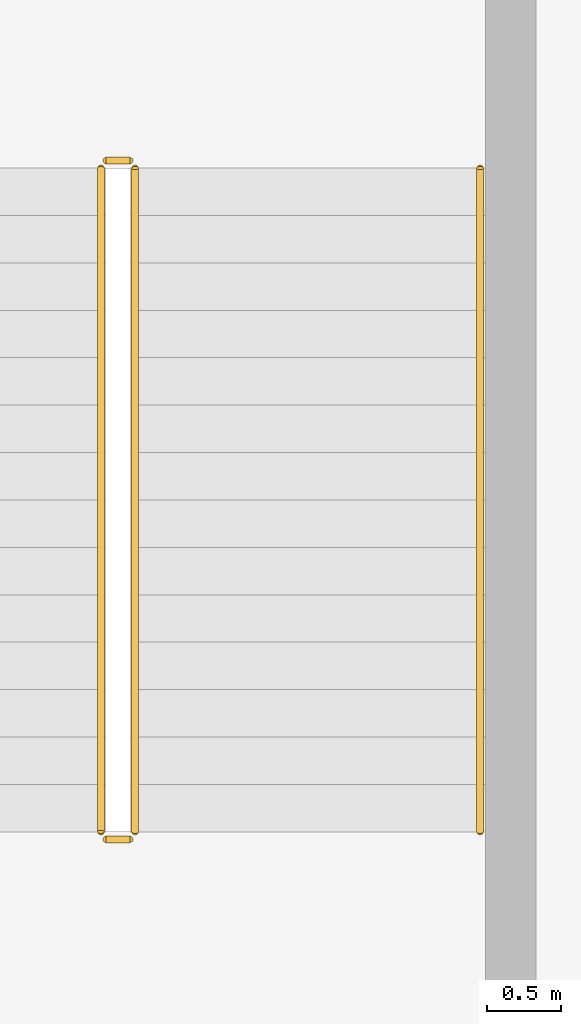
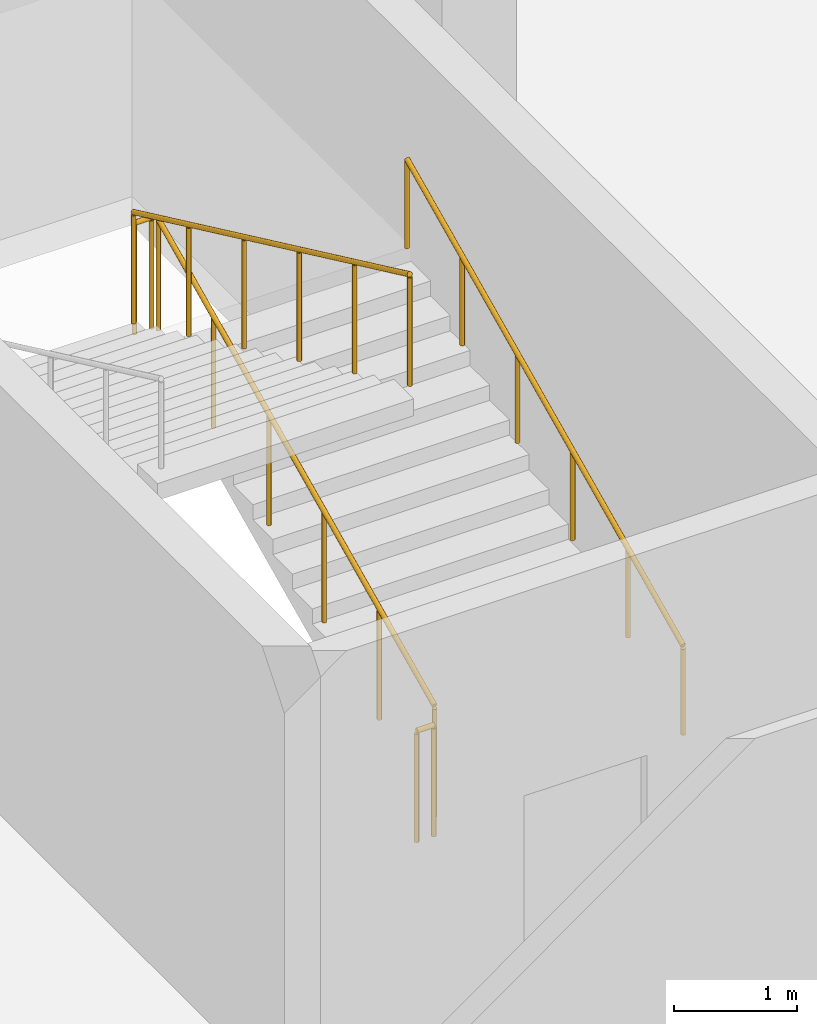
# One storey, part 144 of 151: 5 railings.
"""IFC4 building model written with IfcOpenShell, lengths in metres."""

from ifc_helpers import new_model, si_unit, direction, frame, origin, origin_2d, place, context, subcontext, project, spatial, circle, extrude, material, layer, layer_set, type_object, element, save


model = new_model("IFC4")

# Units and contexts
model_context = context("Model", 3, precision=1e-05, world=origin(), true_north=direction((0.0, 1.0)))
body_context = subcontext(model_context, "Body", "Model", "MODEL_VIEW")
ifc_project = project(units=[si_unit("LENGTHUNIT", "METRE"), si_unit("AREAUNIT", "SQUARE_METRE"), si_unit("VOLUMEUNIT", "CUBIC_METRE"), si_unit("PLANEANGLEUNIT", "RADIAN"), si_unit("MASSUNIT", "GRAM", prefix="KILO")], contexts=[model_context])

# Site, building, storey
site_placement = place(None, origin())
site = spatial("IfcSite", under=ifc_project, at=site_placement, CompositionType="ELEMENT")
building_placement = place(site_placement, origin())
building = spatial("IfcBuilding", under=site, at=building_placement, Name="Celestram Park Convention Centre", CompositionType="ELEMENT")
storey_placement = place(building_placement, frame((0.0, 0.0, 10.800048828125)))
storey = spatial("IfcBuildingStorey", under=building, at=storey_placement, Name="L02", CompositionType="ELEMENT", Elevation=10.800048828125)

# Railings
ifc_material_1 = material(Name="Stainless Steel AISI 316L & Laminated Glass", Category="steel")
ifc_layer_1 = layer(ifc_material_1, 0.06005859375)
ifc_layer_set_1 = layer_set([ifc_layer_1], Name="Stainless Steel AISI 316L & Laminated Glass")
railing_type_1 = type_object("IfcRailingType", Name="ARC-RL-GRD1120", PredefinedType="GUARDRAIL", material=ifc_layer_set_1)
railing_1_placement = place(storey_placement, frame((113.43603515625, 152.60009765625, 0.14990234375)))
element("IfcRailing", 1, at=railing_1_placement, inside=storey, type_object=railing_type_1, Name="L02 ST-16 stair guard 1", PredefinedType="GUARDRAIL", context=body_context, shape_type="SweptSolid", body=[
    extrude(circle(Radius=0.02392578125, at=origin_2d()), frame((0.0, 0.0, 1.09619140625), z_axis=(0.0, 0.905450639465, 0.424451574969), x_axis=(-1.0, 0.0, 0.0)), (0.0, 0.0, 1.0), 4.94775390625),
    extrude(circle(Radius=0.02099609375, at=origin_2d()), origin(), (0.0, 0.0, 1.0), 1.072021484375),
    extrude(circle(Radius=0.02099609375, at=origin_2d()), frame((0.0, 0.89599609375, 0.419921875)), (0.0, 0.0, 1.0), 1.072021484375),
    extrude(circle(Radius=0.02099609375, at=origin_2d()), frame((0.0, 1.7919921875, 0.840087890625)), (0.0, 0.0, 1.0), 1.072021484375),
    extrude(circle(Radius=0.02099609375, at=origin_2d()), frame((0.0, 2.68798828125, 1.260009765625)), (0.0, 0.0, 1.0), 1.072021484375),
    extrude(circle(Radius=0.02099609375, at=origin_2d()), frame((0.0, 3.583984375, 1.68017578125)), (0.0, 0.0, 1.0), 1.072021484375),
    extrude(circle(Radius=0.02099609375, at=origin_2d()), frame((0.0, 4.47998046875, 2.10009765625)), (0.0, 0.0, 1.0), 1.072021484375),
])
railing_2_placement = place(storey_placement, frame((113.39990234375, 157.1298828125, 2.25)))
element("IfcRailing", 2, at=railing_2_placement, inside=storey, type_object=railing_type_1, Name="L02 ST-16 stair guard 2", PredefinedType="GUARDRAIL", context=body_context, shape_type="SweptSolid", body=[
    extrude(circle(Radius=0.02392578125, at=origin_2d()), frame((0.0, 0.0, 1.09619140625), z_axis=(-1.0, 0.0, 0.0), x_axis=(0.0, -1.0, 0.0)), (0.0, 0.0, 1.0), 0.159912109375),
    extrude(circle(Radius=0.02099609375, at=origin_2d()), origin(), (0.0, 0.0, 1.0), 1.072021484375),
    extrude(circle(Radius=0.02099609375, at=origin_2d()), frame((-0.159912109375, 0.0, 0.0)), (0.0, 0.0, 1.0), 1.072021484375),
])
railing_3_placement = place(storey_placement, frame((113.2041015625, 157.080078125, 2.39990234375)))
element("IfcRailing", 3, at=railing_3_placement, inside=storey, type_object=railing_type_1, Name="L02 ST-16 stair guard 3", PredefinedType="GUARDRAIL", context=body_context, shape_type="SweptSolid", body=[
    extrude(circle(Radius=0.02392578125, at=origin_2d()), frame((0.0, 0.0, 1.09619140625), z_axis=(0.0, -0.905450639465, 0.424451574969), x_axis=(1.0, 0.0, 0.0)), (0.0, 0.0, 1.0), 4.94775390625),
    extrude(circle(Radius=0.02099609375, at=origin_2d()), origin(), (0.0, 0.0, 1.0), 1.072021484375),
    extrude(circle(Radius=0.02099609375, at=origin_2d()), frame((0.0, -0.89599609375, 0.419921875)), (0.0, 0.0, 1.0), 1.072021484375),
    extrude(circle(Radius=0.02099609375, at=origin_2d()), frame((0.0, -1.7919921875, 0.840087890625)), (0.0, 0.0, 1.0), 1.072021484375),
    extrude(circle(Radius=0.02099609375, at=origin_2d()), frame((0.0, -2.68798828125, 1.260009765625)), (0.0, 0.0, 1.0), 1.072021484375),
    extrude(circle(Radius=0.02099609375, at=origin_2d()), frame((0.0, -3.583984375, 1.68017578125)), (0.0, 0.0, 1.0), 1.072021484375),
    extrude(circle(Radius=0.02099609375, at=origin_2d()), frame((0.0, -4.47998046875, 2.10009765625)), (0.0, 0.0, 1.0), 1.072021484375),
])
railing_4_placement = place(storey_placement, frame((113.39990234375, 152.550048828125, 0.0)))
element("IfcRailing", 4, at=railing_4_placement, inside=storey, type_object=railing_type_1, Name="L02 ST-16 stair guard 4", PredefinedType="GUARDRAIL", context=body_context, shape_type="SweptSolid", body=[
    extrude(circle(Radius=0.02392578125, at=origin_2d()), frame((0.0, 0.0, 1.09619140625), z_axis=(-1.0, 0.0, 0.0), x_axis=(0.0, -1.0, 0.0)), (0.0, 0.0, 1.0), 0.159912109375),
    extrude(circle(Radius=0.02099609375, at=origin_2d()), origin(), (0.0, 0.0, 1.0), 1.072021484375),
    extrude(circle(Radius=0.02099609375, at=origin_2d()), frame((-0.159912109375, 0.0, 0.0)), (0.0, 0.0, 1.0), 1.072021484375),
])
ifc_material_2 = material(Name="Brushed Stainless Steel AISI 304", Category="steel")
ifc_layer_2 = layer(ifc_material_2, 0.048095703125)
ifc_layer_set_2 = layer_set([ifc_layer_2], Name="Brushed Stainless Steel AISI 304")
railing_type_2 = type_object("IfcRailingType", Name="ARC-RL-HND915", PredefinedType="HANDRAIL", material=ifc_layer_set_2)
railing_5_placement = place(storey_placement, frame((115.763916015625, 152.60009765625, 0.14990234375)))
element("IfcRailing", 5, at=railing_5_placement, inside=storey, type_object=railing_type_2, Name="L02 ST-16 stair handrail 1", PredefinedType="HANDRAIL", context=body_context, shape_type="SweptSolid", body=[
    extrude(circle(Radius=0.02392578125, at=origin_2d()), frame((0.0, 0.0, 0.8759765625), z_axis=(0.0, 0.905450639465, 0.424451574969), x_axis=(-1.0, 0.0, 0.0)), (0.0, 0.0, 1.0), 4.94775390625),
    extrude(circle(Radius=0.02099609375, at=origin_2d()), origin(), (0.0, 0.0, 1.0), 0.851806640625),
    extrude(circle(Radius=0.02099609375, at=origin_2d()), frame((0.0, 0.89599609375, 0.419921875)), (0.0, 0.0, 1.0), 0.851806640625),
    extrude(circle(Radius=0.02099609375, at=origin_2d()), frame((0.0, 1.7919921875, 0.840087890625)), (0.0, 0.0, 1.0), 0.851806640625),
    extrude(circle(Radius=0.02099609375, at=origin_2d()), frame((0.0, 2.68798828125, 1.260009765625)), (0.0, 0.0, 1.0), 0.851806640625),
    extrude(circle(Radius=0.02099609375, at=origin_2d()), frame((0.0, 3.583984375, 1.68017578125)), (0.0, 0.0, 1.0), 0.851806640625),
    extrude(circle(Radius=0.02099609375, at=origin_2d()), frame((0.0, 4.47998046875, 2.10009765625)), (0.0, 0.0, 1.0), 0.851806640625),
])

save(model, "model.ifc")
